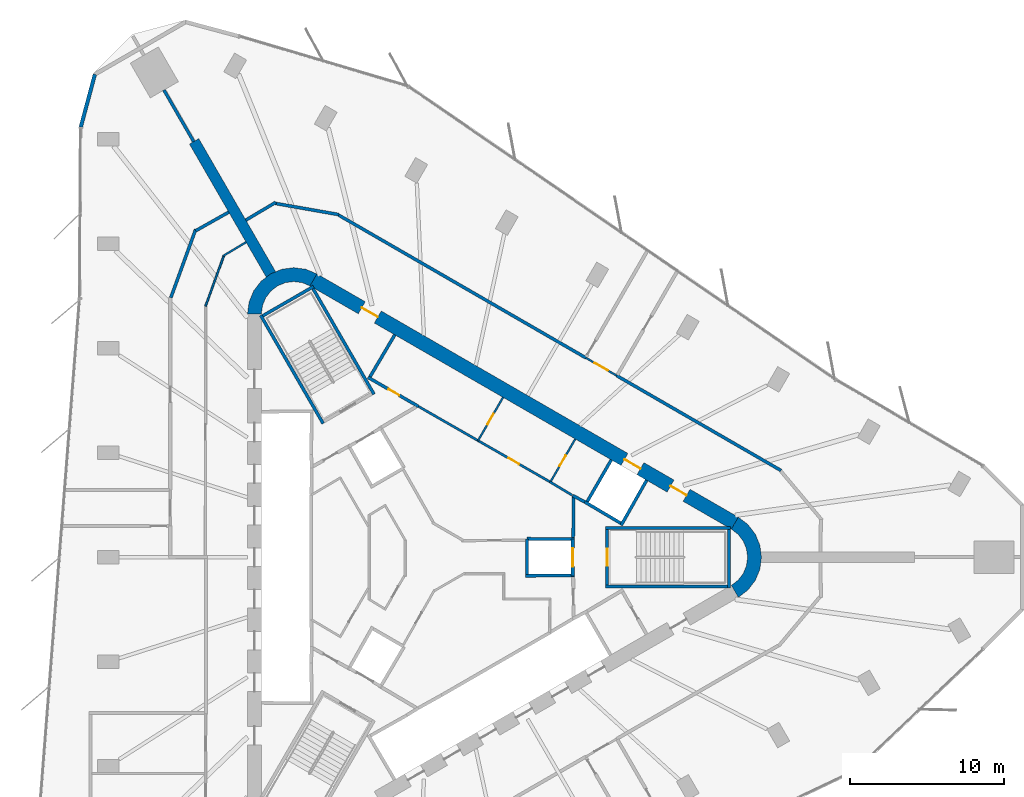
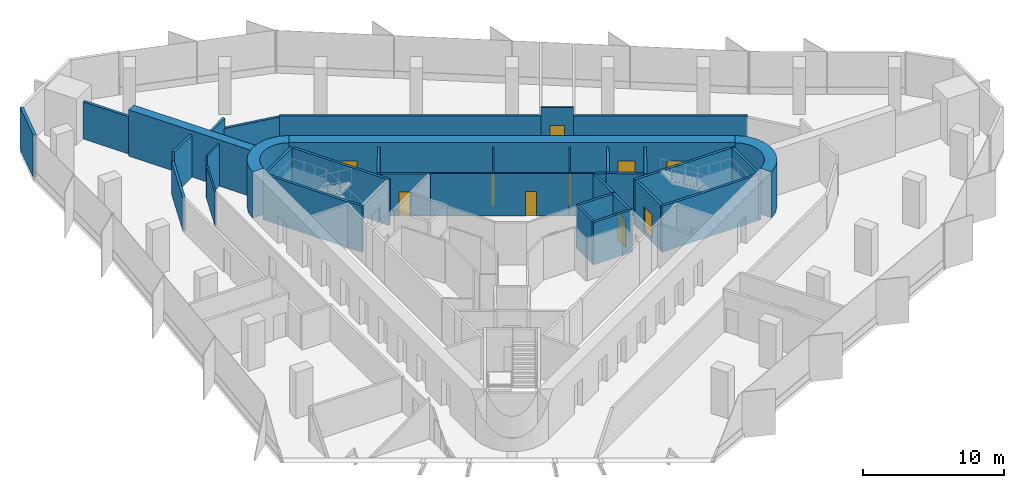
# One storey, part 11 of 13: 37 walls, 10 doors, 10 openings.
"""IFC4 building model written with IfcOpenShell, lengths in metres."""

from ifc_helpers import new_model, si_unit, direction, frame, frame_2d, origin, place, context, subcontext, project, spatial, polyline, rectangle, outline, extrude, material, layer, layer_set, type_object, element, fill, save


model = new_model("IFC4")

# Units and contexts
model_context = context("Model", 3, precision=1e-05, world=origin(), true_north=direction((0.0, 1.0)))
body_context = subcontext(model_context, "Body", "Model", "MODEL_VIEW")
ifc_project = project(units=[si_unit("LENGTHUNIT", "METRE"), si_unit("AREAUNIT", "SQUARE_METRE"), si_unit("VOLUMEUNIT", "CUBIC_METRE"), si_unit("PLANEANGLEUNIT", "RADIAN"), si_unit("MASSUNIT", "GRAM", prefix="KILO")], contexts=[model_context])

# Site, building, storey
site_placement = place(None, origin())
site = spatial("IfcSite", under=ifc_project, at=site_placement, CompositionType="ELEMENT")
building_placement = place(site_placement, origin())
building = spatial("IfcBuilding", under=site, at=building_placement, Name="Tanit Gate Tower", CompositionType="ELEMENT")
storey_placement = place(building_placement, frame((0.0, 0.0, 273.199951171875)))
storey = spatial("IfcBuildingStorey", under=building, at=storey_placement, Name="L62", CompositionType="ELEMENT", Elevation=273.199951171875)

# Wall
ifc_material_1 = material(Name="Concrete C50/60", Category="concrete")
ifc_layer_1 = layer(ifc_material_1, 0.699951171875)
ifc_layer_set_1 = layer_set([ifc_layer_1], Name="BUTTRESS FIN 700 C50/60")
wall_type_1 = type_object("IfcWallType", Name="BUTTRESS FIN 700 C50/60", PredefinedType="SHEAR", material=ifc_layer_set_1)
wall_1_placement = place(storey_placement, frame((-10.574951171875, 18.31640625, 0.0), z_axis=(0.0, 0.0, 1.0), x_axis=(-0.500007350791, 0.866021159762, 0.0)))
element("IfcWall", 1, at=wall_1_placement, inside=storey, type_object=wall_type_1, Name="BUTTRESS FIN", PredefinedType="SHEAR", context=body_context, shape_type="SweptSolid", body=[
    extrude(rectangle(XDim=9.964599609375, YDim=0.699951171875, at=frame_2d((4.982421875, 0.0))), origin(), (0.0, 0.0, 1.0), 4.0),
])

# Wall, openings, doors
ifc_material_2 = material(Name="Concrete C50/60", Category="concrete")
ifc_layer_2 = layer(ifc_material_2, 0.89990234375)
ifc_layer_set_2 = layer_set([ifc_layer_2], Name="CORE WALL 900 C50/60")
wall_type_2 = type_object("IfcWallType", Name="CORE WALL 900 C50/60", PredefinedType="SHEAR", material=ifc_layer_set_2)
wall_2_placement = place(storey_placement, frame((19.47509765625, 2.20849609375, 0.0), z_axis=(0.0, 0.0, 1.0), x_axis=(-0.866028369851, 0.499994862586, 0.0)))
wall_2 = element("IfcWall", 2, at=wall_2_placement, inside=storey, type_object=wall_type_2, Name="CORE WALL", PredefinedType="SHEAR", context=body_context, shape_type="SweptSolid", body=[
    extrude(rectangle(XDim=31.523193359375, YDim=0.89990234375, at=frame_2d((15.76171875, 0.0))), origin(), (0.0, 0.0, 1.0), 4.0),
])
opening_1_placement = place(wall_2_placement, frame((7.0615234375, 0.0, 0.0)))
opening_1 = element("IfcOpeningElement", 3, at=opening_1_placement, cuts=wall_2, Name="Opening LDML8-S17", PredefinedType="OPENING", context=body_context, shape_type="SweptSolid", body=[
    extrude(rectangle(XDim=1.199951171875, YDim=2.39990234375, at=frame_2d((0.60009765625, 1.199951171875))), frame((0.0, 0.4599609375, 0.0), z_axis=(0.0, -1.0, 0.0), x_axis=(1.0, 0.0, 0.0)), (0.0, 0.0, 1.0), 0.919921875),
])
opening_2_placement = place(wall_2_placement, frame((3.611572265625, 0.0, 0.0)))
opening_2 = element("IfcOpeningElement", 4, at=opening_2_placement, cuts=wall_2, Name="Opening F12-S17-FL1", PredefinedType="OPENING", context=body_context, shape_type="SweptSolid", body=[
    extrude(rectangle(XDim=1.199951171875, YDim=2.39990234375, at=frame_2d((0.60009765625, 1.199951171875))), frame((0.0, 0.4599609375, 0.0), z_axis=(0.0, -1.0, 0.0), x_axis=(1.0, 0.0, 0.0)), (0.0, 0.0, 1.0), 0.919921875),
])
opening_3_placement = place(wall_2_placement, frame((26.711669921875, 0.0, 0.0)))
opening_3 = element("IfcOpeningElement", 5, at=opening_3_placement, cuts=wall_2, Name="Opening F12-S17-S2", PredefinedType="OPENING", context=body_context, shape_type="SweptSolid", body=[
    extrude(rectangle(XDim=1.199951171875, YDim=2.39990234375, at=frame_2d((0.60009765625, 1.199951171875))), frame((0.0, 0.4599609375, 0.0), z_axis=(0.0, -1.0, 0.0), x_axis=(1.0, 0.0, 0.0)), (0.0, 0.0, 1.0), 0.919921875),
])
ifc_material_3 = material(Name="Fire-rated steel door leaf", Category="steel")
door_type_1 = type_object("IfcDoorType", Name="INT-DOOR-FIRE-LOBBY-1200", OperationType="NOTDEFINED", PredefinedType="USERDEFINED", material=ifc_material_3)
door_1_placement = place(opening_2_placement, origin())
door_1 = element("IfcDoor", 6, at=door_1_placement, inside=storey, type_object=door_type_1, Name="Door F12-S17-FL1", ObjectType="FIRE DOOR", OperationType="SINGLE_SWING_LEFT", OverallHeight=2.39990234375, OverallWidth=1.199951171875, PredefinedType="USERDEFINED", context=body_context, shape_type="SweptSolid", body=[
    extrude(rectangle(XDim=1.199951171875, YDim=2.39990234375, at=frame_2d((0.60009765625, 1.199951171875))), frame((0.0, 0.02490234375, 0.0), z_axis=(0.0, -1.0, 0.0), x_axis=(1.0, 0.0, 0.0)), (0.0, 0.0, 1.0), 0.050048828125),
])
fill(opening_2, door_1)
door_2_placement = place(opening_3_placement, origin())
door_2 = element("IfcDoor", 7, at=door_2_placement, inside=storey, type_object=door_type_1, Name="Door F12-S17-S2", ObjectType="FIRE DOOR", OperationType="SINGLE_SWING_RIGHT", OverallHeight=2.39990234375, OverallWidth=1.199951171875, PredefinedType="USERDEFINED", context=body_context, shape_type="SweptSolid", body=[
    extrude(rectangle(XDim=1.199951171875, YDim=2.39990234375, at=frame_2d((0.60009765625, 1.199951171875))), frame((0.0, 0.02490234375, 0.0), z_axis=(0.0, -1.0, 0.0), x_axis=(1.0, 0.0, 0.0)), (0.0, 0.0, 1.0), 0.050048828125),
])
fill(opening_3, door_2)
ifc_material_4 = material(Name="Stainless steel sliding door leaf", Category="steel")
door_type_2 = type_object("IfcDoorType", Name="INT-DOOR-LANDING-1200", OperationType="NOTDEFINED", PredefinedType="USERDEFINED", material=ifc_material_4)
door_3_placement = place(opening_1_placement, origin())
door_3 = element("IfcDoor", 8, at=door_3_placement, inside=storey, type_object=door_type_2, Name="Door LDML8-S17", ObjectType="LANDING DOOR", OperationType="SLIDING_TO_LEFT", OverallHeight=2.39990234375, OverallWidth=1.199951171875, PredefinedType="USERDEFINED", context=body_context, shape_type="SweptSolid", body=[
    extrude(rectangle(XDim=1.199951171875, YDim=2.39990234375, at=frame_2d((0.60009765625, 1.199951171875))), frame((0.0, 0.02490234375, 0.0), z_axis=(0.0, -1.0, 0.0), x_axis=(1.0, 0.0, 0.0)), (0.0, 0.0, 1.0), 0.050048828125),
])
fill(opening_1, door_3)

# Walls
wall_3_placement = place(storey_placement, origin())
element("IfcWall", 9, at=wall_3_placement, inside=storey, type_object=wall_type_2, Name="CORE WALL CORNER", PredefinedType="SHEAR", context=body_context, shape_type="SweptSolid", body=[
    extrude(outline(polyline([(-7.60009765625, 18.359619140625), (-8.323486328125, 18.659423828125), (-9.10009765625, 18.76171875), (-9.87646484375, 18.659423828125), (-10.60009765625, 18.359619140625), (-11.22119140625, 17.883056640625), (-11.697998046875, 17.26171875), (-11.997802734375, 16.5380859375), (-12.10009765625, 15.76171875), (-11.199951171875, 15.76171875), (-11.12841796875, 16.30517578125), (-10.918701171875, 16.811767578125), (-10.5849609375, 17.24658203125), (-10.14990234375, 17.580322265625), (-9.6435546875, 17.7900390625), (-9.10009765625, 17.86181640625), (-8.556396484375, 17.7900390625), (-8.050048828125, 17.580322265625), (-7.60009765625, 18.359619140625)])), origin(), (0.0, 0.0, 1.0), 4.0),
])
wall_4_placement = place(storey_placement, origin())
element("IfcWall", 10, at=wall_4_placement, inside=storey, type_object=wall_type_2, Name="CORE WALL CORNER", PredefinedType="SHEAR", context=body_context, shape_type="SweptSolid", body=[
    extrude(outline(polyline([(19.699951171875, -2.59814453125), (20.3212890625, -2.121337890625), (20.798095703125, -1.5), (21.097900390625, -0.776611328125), (21.199951171875, 0.0), (21.097900390625, 0.776611328125), (20.798095703125, 1.5), (20.3212890625, 2.121337890625), (19.699951171875, 2.59814453125), (19.25, 1.818603515625), (19.684814453125, 1.48486328125), (20.018798828125, 1.050048828125), (20.228515625, 0.54345703125), (20.300048828125, 0.0), (20.228515625, -0.54345703125), (20.018798828125, -1.050048828125), (19.684814453125, -1.48486328125), (19.25, -1.818603515625), (19.699951171875, -2.59814453125)])), origin(), (0.0, 0.0, 1.0), 4.0),
])
ifc_material_5 = material(Name="Concrete C30/37 with bronze anodised aluminium cladding", Category="concrete")
ifc_layer_3 = layer(ifc_material_5, 0.239990234375)
ifc_layer_set_3 = layer_set([ifc_layer_3], Name="Facade wall bronze clad 240")
wall_type_3 = type_object("IfcWallType", Name="Facade wall bronze clad 240", PredefinedType="SOLIDWALL", material=ifc_layer_set_3)
wall_5_placement = place(storey_placement, frame((-21.986328125, 31.283203125, 0.0), z_axis=(0.0, 0.0, 1.0), x_axis=(-0.258844219627, -0.965919080444, 0.0)))
element("IfcWall", 11, at=wall_5_placement, inside=storey, type_object=wall_type_3, Name="Bronze-clad facade wall L62 NW.arc3", PredefinedType="SOLIDWALL", context=body_context, shape_type="SweptSolid", body=[
    extrude(rectangle(XDim=3.5361328125, YDim=0.239990234375, at=frame_2d((1.76806640625, 0.0))), origin(), (0.0, 0.0, 1.0), 3.650146484375),
])
ifc_material_6 = material(Name="Fire-rated gypsum board partition")
ifc_layer_4 = layer(ifc_material_6, 0.199951171875)
ifc_layer_set_4 = layer_set([ifc_layer_4], Name="INT-WALL-COMPARTMENT")
wall_type_4 = type_object("IfcWallType", Name="INT-WALL-COMPARTMENT", PredefinedType="PARTITIONING", material=ifc_layer_set_4)
wall_6_placement = place(storey_placement, frame((8.97412109375, 3.998779296875, 0.0), z_axis=(0.0, 0.0, 1.0), x_axis=(0.880917147855, -0.473270513147, 0.0)))
element("IfcWall", 12, at=wall_6_placement, inside=storey, type_object=wall_type_4, Name="Wall Compartment W050", PredefinedType="PARTITIONING", context=body_context, shape_type="SweptSolid", body=[
    extrude(rectangle(XDim=0.8779296875, YDim=0.199951171875, at=frame_2d((0.43896484375, 0.0))), origin(), (0.0, 0.0, 1.0), 3.650146484375),
])

# Wall, opening, door
wall_7_placement = place(storey_placement, frame((-4.295654296875, 11.659912109375, 0.0), z_axis=(0.0, 0.0, 1.0), x_axis=(0.866027389382, -0.499996560828, 0.0)))
wall_7 = element("IfcWall", 13, at=wall_7_placement, inside=storey, type_object=wall_type_4, Name="Wall Compartment W054", PredefinedType="PARTITIONING", context=body_context, shape_type="SweptSolid", body=[
    extrude(rectangle(XDim=3.77783203125, YDim=0.199951171875, at=frame_2d((1.888916015625, 0.0))), origin(), (0.0, 0.0, 1.0), 3.650146484375),
])
opening_4_placement = place(wall_7_placement, frame((1.538818359375, 0.0, 0.0)))
opening_4 = element("IfcOpeningElement", 14, at=opening_4_placement, cuts=wall_7, Name="Opening R08-S17-16", PredefinedType="OPENING", context=body_context, shape_type="SweptSolid", body=[
    extrude(rectangle(XDim=0.800048828125, YDim=2.10009765625, at=frame_2d((0.39990234375, 1.050048828125))), frame((0.0, 0.10986328125, 0.0), z_axis=(0.0, -1.0, 0.0), x_axis=(1.0, 0.0, 0.0)), (0.0, 0.0, 1.0), 0.219970703125),
])
ifc_material_7 = material(Name="Timber door leaf", Category="wood")
door_type_3 = type_object("IfcDoorType", Name="INT-DOOR-RISER-800", OperationType="NOTDEFINED", PredefinedType="USERDEFINED", material=ifc_material_7)
door_4_placement = place(opening_4_placement, origin())
door_4 = element("IfcDoor", 15, at=door_4_placement, inside=storey, type_object=door_type_3, Name="Door R08-S17-16", ObjectType="FIRE DOOR", OperationType="SINGLE_SWING_LEFT", OverallHeight=2.10009765625, OverallWidth=0.800048828125, PredefinedType="USERDEFINED", context=body_context, shape_type="SweptSolid", body=[
    extrude(rectangle(XDim=0.800048828125, YDim=2.10009765625, at=frame_2d((0.39990234375, 1.050048828125))), frame((0.0, 0.02490234375, 0.0), z_axis=(0.0, -1.0, 0.0), x_axis=(1.0, 0.0, 0.0)), (0.0, 0.0, 1.0), 0.050048828125),
])
fill(opening_4, door_4)

# Walls
wall_8_placement = place(storey_placement, frame((-2.557861328125, 14.409423828125, 0.0), z_axis=(0.0, 0.0, 1.0), x_axis=(-0.508018930956, -0.861345903683, 0.0)))
element("IfcWall", 16, at=wall_8_placement, inside=storey, type_object=wall_type_4, Name="Wall Compartment W055", PredefinedType="PARTITIONING", context=body_context, shape_type="SweptSolid", body=[
    extrude(rectangle(XDim=3.150146484375, YDim=0.199951171875, at=frame_2d((1.5751953125, 0.0))), origin(), (0.0, 0.0, 1.0), 3.650146484375),
])
wall_9_placement = place(storey_placement, frame((9.0009765625, 1.27001953125, 0.0), z_axis=(0.0, 0.0, 1.0), x_axis=(0.010751103362, 0.999942205218, 0.0)))
element("IfcWall", 17, at=wall_9_placement, inside=storey, type_object=wall_type_4, Name="Wall Compartment W059", PredefinedType="PARTITIONING", context=body_context, shape_type="SweptSolid", body=[
    extrude(rectangle(XDim=2.72509765625, YDim=0.199951171875, at=frame_2d((1.362548828125, 0.0))), origin(), (0.0, 0.0, 1.0), 3.650146484375),
])
wall_10_placement = place(storey_placement, frame((-15.456298828125, 21.238525390625, 0.0), z_axis=(0.0, 0.0, 1.0), x_axis=(-0.34205546997, -0.939679762187, 0.0)))
element("IfcWall", 18, at=wall_10_placement, inside=storey, type_object=wall_type_4, Name="Wall Compartment W091", PredefinedType="PARTITIONING", context=body_context, shape_type="SweptSolid", body=[
    extrude(rectangle(XDim=4.705810546875, YDim=0.199951171875, at=frame_2d((2.35302734375, 0.0))), origin(), (0.0, 0.0, 1.0), 2.830078125),
])
wall_11_placement = place(storey_placement, frame((-13.31298828125, 22.35888671875, 0.0), z_axis=(0.0, 0.0, 1.0), x_axis=(-0.87121710687, -0.490897904555, 0.0)))
element("IfcWall", 19, at=wall_11_placement, inside=storey, type_object=wall_type_4, Name="Wall Compartment W092", PredefinedType="PARTITIONING", context=body_context, shape_type="SweptSolid", body=[
    extrude(rectangle(XDim=2.457275390625, YDim=0.199951171875, at=frame_2d((1.228515625, 0.0))), origin(), (0.0, 0.0, 1.0), 3.650146484375),
])
wall_12_placement = place(storey_placement, frame((22.466064453125, 5.619873046875, 0.0), z_axis=(0.0, 0.0, 1.0), x_axis=(-0.866024234898, 0.500002024564, 0.0)))
element("IfcWall", 20, at=wall_12_placement, inside=storey, type_object=wall_type_4, Name="Wall Compartment W099", PredefinedType="PARTITIONING", context=body_context, shape_type="SweptSolid", body=[
    extrude(rectangle(XDim=12.29638671875, YDim=0.199951171875, at=frame_2d((6.148193359375, 0.0))), origin(), (0.0, 0.0, 1.0), 2.929931640625),
])
wall_13_placement = place(storey_placement, frame((9.825439453125, 12.91796875, 0.0), z_axis=(0.0, 0.0, 1.0), x_axis=(-0.866022708987, 0.500004667497, 0.0)))
element("IfcWall", 21, at=wall_13_placement, inside=storey, type_object=wall_type_4, Name="Wall Compartment W104", PredefinedType="PARTITIONING", context=body_context, shape_type="SweptSolid", body=[
    extrude(rectangle(XDim=18.496337890625, YDim=0.199951171875, at=frame_2d((9.248046875, 0.0))), origin(), (0.0, 0.0, 1.0), 2.929931640625),
])
wall_14_placement = place(storey_placement, frame((-10.26513671875, 22.995849609375, 0.0), z_axis=(0.0, 0.0, 1.0), x_axis=(-0.859934823121, -0.510403859687, 0.0)))
element("IfcWall", 22, at=wall_14_placement, inside=storey, type_object=wall_type_4, Name="Wall Compartment W102", PredefinedType="PARTITIONING", context=body_context, shape_type="SweptSolid", body=[
    extrude(rectangle(XDim=2.25830078125, YDim=0.199951171875, at=frame_2d((1.129150390625, 0.0))), origin(), (0.0, 0.0, 1.0), 3.650146484375),
])
wall_15_placement = place(storey_placement, frame((-6.18115234375, 22.19873046875, 0.0), z_axis=(0.0, 0.0, 1.0), x_axis=(-0.984807544765, 0.17364935869, 0.0)))
element("IfcWall", 23, at=wall_15_placement, inside=storey, type_object=wall_type_4, Name="Wall Compartment W103", PredefinedType="PARTITIONING", context=body_context, shape_type="SweptSolid", body=[
    extrude(rectangle(XDim=4.199462890625, YDim=0.199951171875, at=frame_2d((2.099609375, 0.0))), origin(), (0.0, 0.0, 1.0), 2.830078125),
])
wall_16_placement = place(storey_placement, frame((-17.510986328125, 30.27001953125, 0.0), z_axis=(0.0, 0.0, 1.0), x_axis=(0.499980071345, -0.866036909293, 0.0)))
element("IfcWall", 24, at=wall_16_placement, inside=storey, type_object=wall_type_4, Name="Wall Compartment W123", PredefinedType="PARTITIONING", context=body_context, shape_type="SweptSolid", body=[
    extrude(rectangle(XDim=3.855712890625, YDim=0.199951171875, at=frame_2d((1.927734375, 0.0))), origin(), (0.0, 0.0, 1.0), 3.219970703125),
])

# Wall, opening, door
ifc_material_8 = material(Name="Gypsum board partition")
ifc_layer_5 = layer(ifc_material_8, 0.1201171875)
ifc_layer_set_5 = layer_set([ifc_layer_5], Name="INT-WALL-PARTITION")
wall_type_5 = type_object("IfcWallType", Name="INT-WALL-PARTITION", PredefinedType="PARTITIONING", material=ifc_layer_set_5)
wall_17_placement = place(storey_placement, frame((7.50830078125, 4.844970703125, 0.0), z_axis=(0.0, 0.0, 1.0), x_axis=(0.500017246033, 0.866015446554, 0.0)))
wall_17 = element("IfcWall", 25, at=wall_17_placement, inside=storey, type_object=wall_type_5, Name="Wall Partition W049", PredefinedType="PARTITIONING", context=body_context, shape_type="SweptSolid", body=[
    extrude(rectangle(XDim=3.25, YDim=0.1201171875, at=frame_2d((1.625, 0.0))), origin(), (0.0, 0.0, 1.0), 3.650146484375),
])
opening_5_placement = place(wall_17_placement, frame((1.22509765625, 0.0, 0.0)))
opening_5 = element("IfcOpeningElement", 26, at=opening_5_placement, cuts=wall_17, Name="Opening R08-S17-14", PredefinedType="OPENING", context=body_context, shape_type="SweptSolid", body=[
    extrude(rectangle(XDim=0.800048828125, YDim=2.10009765625, at=frame_2d((0.39990234375, 1.050048828125))), frame((0.0, 0.070068359375, 0.0), z_axis=(0.0, -1.0, 0.0), x_axis=(1.0, 0.0, 0.0)), (0.0, 0.0, 1.0), 0.14013671875),
])
door_5_placement = place(opening_5_placement, origin())
door_5 = element("IfcDoor", 27, at=door_5_placement, inside=storey, type_object=door_type_3, Name="Door R08-S17-14", ObjectType="FIRE DOOR", OperationType="SINGLE_SWING_RIGHT", OverallHeight=2.10009765625, OverallWidth=0.800048828125, PredefinedType="USERDEFINED", context=body_context, shape_type="SweptSolid", body=[
    extrude(rectangle(XDim=0.800048828125, YDim=2.10009765625, at=frame_2d((0.39990234375, 1.050048828125))), frame((0.0, 0.02490234375, 0.0), z_axis=(0.0, -1.0, 0.0), x_axis=(1.0, 0.0, 0.0)), (0.0, 0.0, 1.0), 0.050048828125),
])
fill(opening_5, door_5)

wall_18_placement = place(storey_placement, frame((2.831787109375, 7.544921875, 0.0), z_axis=(0.0, 0.0, 1.0), x_axis=(0.500017246033, 0.866015446554, 0.0)))
wall_18 = element("IfcWall", 28, at=wall_18_placement, inside=storey, type_object=wall_type_5, Name="Wall Partition W052", PredefinedType="PARTITIONING", context=body_context, shape_type="SweptSolid", body=[
    extrude(rectangle(XDim=3.25, YDim=0.1201171875, at=frame_2d((1.625, 0.0))), origin(), (0.0, 0.0, 1.0), 3.650146484375),
])
opening_6_placement = place(wall_18_placement, frame((1.22509765625, 0.0, 0.0)))
opening_6 = element("IfcOpeningElement", 29, at=opening_6_placement, cuts=wall_18, Name="Opening R08-S17-15", PredefinedType="OPENING", context=body_context, shape_type="SweptSolid", body=[
    extrude(rectangle(XDim=0.800048828125, YDim=2.10009765625, at=frame_2d((0.39990234375, 1.050048828125))), frame((0.0, 0.070068359375, 0.0), z_axis=(0.0, -1.0, 0.0), x_axis=(1.0, 0.0, 0.0)), (0.0, 0.0, 1.0), 0.14013671875),
])
door_6_placement = place(opening_6_placement, origin())
door_6 = element("IfcDoor", 30, at=door_6_placement, inside=storey, type_object=door_type_3, Name="Door R08-S17-15", ObjectType="FIRE DOOR", OperationType="SINGLE_SWING_RIGHT", OverallHeight=2.10009765625, OverallWidth=0.800048828125, PredefinedType="USERDEFINED", context=body_context, shape_type="SweptSolid", body=[
    extrude(rectangle(XDim=0.800048828125, YDim=2.10009765625, at=frame_2d((0.39990234375, 1.050048828125))), frame((0.0, 0.02490234375, 0.0), z_axis=(0.0, -1.0, 0.0), x_axis=(1.0, 0.0, 0.0)), (0.0, 0.0, 1.0), 0.050048828125),
])
fill(opening_6, door_6)

# Walls
wall_19_placement = place(storey_placement, frame((-12.188720703125, 20.411376953125, 0.0), z_axis=(0.0, 0.0, 1.0), x_axis=(-0.858492721014, -0.51282574815, 0.0)))
element("IfcWall", 31, at=wall_19_placement, inside=storey, type_object=wall_type_5, Name="Wall Partition W084", PredefinedType="PARTITIONING", context=body_context, shape_type="SweptSolid", body=[
    extrude(rectangle(XDim=1.742431640625, YDim=0.1201171875, at=frame_2d((0.87109375, 0.0))), origin(), (0.0, 0.0, 1.0), 3.650146484375),
])
wall_20_placement = place(storey_placement, frame((-13.630615234375, 19.529541015625, 0.0), z_axis=(0.0, 0.0, 1.0), x_axis=(-0.342069878069, -0.939674517329, 0.0)))
element("IfcWall", 32, at=wall_20_placement, inside=storey, type_object=wall_type_5, Name="Wall Partition W085", PredefinedType="PARTITIONING", context=body_context, shape_type="SweptSolid", body=[
    extrude(rectangle(XDim=3.478759765625, YDim=0.1201171875, at=frame_2d((1.7392578125, 0.0))), origin(), (0.0, 0.0, 1.0), 2.830078125),
])

# Wall, opening, door
wall_21_placement = place(storey_placement, frame((11.817138671875, 11.76806640625, 0.0), z_axis=(0.0, 0.0, 1.0), x_axis=(-0.86602648383, 0.499998129301, 0.0)))
wall_21 = element("IfcWall", 33, at=wall_21_placement, inside=storey, type_object=wall_type_5, Name="Wall Partition W098", PredefinedType="PARTITIONING", context=body_context, shape_type="SweptSolid", body=[
    extrude(rectangle(XDim=2.2998046875, YDim=0.1201171875, at=frame_2d((1.14990234375, 0.0))), origin(), (0.0, 0.0, 1.0), 3.650146484375),
])
opening_7_placement = place(wall_21_placement, frame((0.64990234375, 0.0, 0.0)))
opening_7 = element("IfcOpeningElement", 34, at=opening_7_placement, cuts=wall_21, Name="Opening D10-S17-21", PredefinedType="OPENING", context=body_context, shape_type="SweptSolid", body=[
    extrude(rectangle(XDim=1.0, YDim=2.10009765625, at=frame_2d((0.5, 1.050048828125))), frame((0.0, 0.070068359375, 0.0), z_axis=(0.0, -1.0, 0.0), x_axis=(1.0, 0.0, 0.0)), (0.0, 0.0, 1.0), 0.14013671875),
])
ifc_material_9 = material(Name="Timber door leaf", Category="wood")
door_type_4 = type_object("IfcDoorType", Name="INT-DOOR-SINGLE-1000", OperationType="NOTDEFINED", PredefinedType="NOTDEFINED", material=ifc_material_9)
door_7_placement = place(opening_7_placement, origin())
door_7 = element("IfcDoor", 35, at=door_7_placement, inside=storey, type_object=door_type_4, Name="Door D10-S17-21", OperationType="SINGLE_SWING_LEFT", OverallHeight=2.10009765625, OverallWidth=1.0, PredefinedType="NOTDEFINED", context=body_context, shape_type="SweptSolid", body=[
    extrude(rectangle(XDim=1.0, YDim=2.10009765625, at=frame_2d((0.5, 1.050048828125))), frame((0.0, 0.02490234375, 0.0), z_axis=(0.0, -1.0, 0.0), x_axis=(1.0, 0.0, 0.0)), (0.0, 0.0, 1.0), 0.050048828125),
])
fill(opening_7, door_7)

# Wall
ifc_material_10 = material(Name="Fire-rated gypsum board partition")
ifc_layer_6 = layer(ifc_material_10, 0.14990234375)
ifc_layer_set_6 = layer_set([ifc_layer_6], Name="INT-WALL-RISER")
wall_type_6 = type_object("IfcWallType", Name="INT-WALL-RISER", PredefinedType="PLUMBINGWALL", material=ifc_layer_set_6)
wall_22_placement = place(storey_placement, frame((8.9306640625, 4.026123046875, 0.0), z_axis=(0.0, 0.0, 1.0), x_axis=(-0.857531586833, 0.514431314738, 0.0)))
element("IfcWall", 36, at=wall_22_placement, inside=storey, type_object=wall_type_6, Name="Wall Riser W051", PredefinedType="PLUMBINGWALL", context=body_context, shape_type="SweptSolid", body=[
    extrude(rectangle(XDim=1.67138671875, YDim=0.14990234375, at=frame_2d((0.835693359375, 0.0))), origin(), (0.0, 0.0, 1.0), 3.650146484375),
])

# Wall, opening, door
wall_23_placement = place(storey_placement, frame((7.497314453125, 4.885986328125, 0.0), z_axis=(0.0, 0.0, 1.0), x_axis=(-0.867541725638, 0.497364407931, 0.0)))
wall_23 = element("IfcWall", 37, at=wall_23_placement, inside=storey, type_object=wall_type_6, Name="Wall Riser W053", PredefinedType="PLUMBINGWALL", context=body_context, shape_type="SweptSolid", body=[
    extrude(rectangle(XDim=9.822265625, YDim=0.14990234375, at=frame_2d((4.9111328125, 0.0))), origin(), (0.0, 0.0, 1.0), 3.650146484375),
])
opening_8_placement = place(wall_23_placement, frame((2.300048828125, 0.0, 0.0)))
opening_8 = element("IfcOpeningElement", 38, at=opening_8_placement, cuts=wall_23, Name="Opening R08-S17-18", PredefinedType="OPENING", context=body_context, shape_type="SweptSolid", body=[
    extrude(rectangle(XDim=0.800048828125, YDim=2.10009765625, at=frame_2d((0.39990234375, 1.050048828125))), frame((0.0, 0.0849609375, 0.0), z_axis=(0.0, -1.0, 0.0), x_axis=(1.0, 0.0, 0.0)), (0.0, 0.0, 1.0), 0.169921875),
])
door_8_placement = place(opening_8_placement, origin())
door_8 = element("IfcDoor", 39, at=door_8_placement, inside=storey, type_object=door_type_3, Name="Door R08-S17-18", ObjectType="FIRE DOOR", OperationType="SINGLE_SWING_RIGHT", OverallHeight=2.10009765625, OverallWidth=0.800048828125, PredefinedType="USERDEFINED", context=body_context, shape_type="SweptSolid", body=[
    extrude(rectangle(XDim=0.800048828125, YDim=2.10009765625, at=frame_2d((0.39990234375, 1.050048828125))), frame((0.0, 0.02490234375, 0.0), z_axis=(0.0, -1.0, 0.0), x_axis=(1.0, 0.0, 0.0)), (0.0, 0.0, 1.0), 0.050048828125),
])
fill(opening_8, door_8)

# Walls
ifc_material_11 = material(Name="Gypsum shaft wall system")
ifc_layer_7 = layer(ifc_material_11, 0.199951171875)
ifc_layer_set_7 = layer_set([ifc_layer_7], Name="INT-WALL-SHAFT")
wall_type_7 = type_object("IfcWallType", Name="INT-WALL-SHAFT", PredefinedType="PLUMBINGWALL", material=ifc_layer_set_7)
wall_24_placement = place(storey_placement, frame((9.8466796875, 3.494873046875, 0.0), z_axis=(0.0, 0.0, 1.0), x_axis=(0.499984717929, 0.866034226713, 0.0)))
element("IfcWall", 40, at=wall_24_placement, inside=storey, type_object=wall_type_7, Name="Wall Shaft W012", PredefinedType="PLUMBINGWALL", context=body_context, shape_type="SweptSolid", body=[
    extrude(rectangle(XDim=3.25, YDim=0.199951171875, at=frame_2d((1.625, 0.0))), origin(), (0.0, 0.0, 1.0), 3.650146484375),
])
wall_25_placement = place(storey_placement, frame((12.10986328125, 2.07275390625, 0.0), z_axis=(0.0, 0.0, 1.0), x_axis=(0.49196600604, 0.870614408852, 0.0)))
element("IfcWall", 41, at=wall_25_placement, inside=storey, type_object=wall_type_7, Name="Wall Shaft W013", PredefinedType="PLUMBINGWALL", context=body_context, shape_type="SweptSolid", body=[
    extrude(rectangle(XDim=3.35009765625, YDim=0.199951171875, at=frame_2d((1.675048828125, 0.0))), origin(), (0.0, 0.0, 1.0), 3.650146484375),
])
wall_26_placement = place(storey_placement, frame((12.072998046875, 2.2109375, 0.0), z_axis=(0.0, 0.0, 1.0), x_axis=(-0.860414880418, 0.509594185166, 0.0)))
element("IfcWall", 42, at=wall_26_placement, inside=storey, type_object=wall_type_7, Name="Wall Shaft W014", PredefinedType="PLUMBINGWALL", context=body_context, shape_type="SweptSolid", body=[
    extrude(rectangle(XDim=2.7001953125, YDim=0.199951171875, at=frame_2d((1.35009765625, 0.0))), origin(), (0.0, 0.0, 1.0), 3.650146484375),
])

# Wall, opening, door
wall_27_placement = place(storey_placement, frame((8.969970703125, 1.199951171875, 0.0), z_axis=(0.0, 0.0, 1.0), x_axis=(0.0, -1.0, 0.0)))
wall_27 = element("IfcWall", 43, at=wall_27_placement, inside=storey, type_object=wall_type_7, Name="Wall Shaft W029", PredefinedType="PLUMBINGWALL", context=body_context, shape_type="SweptSolid", body=[
    extrude(rectangle(XDim=2.39990234375, YDim=0.199951171875, at=frame_2d((1.199951171875, 0.0))), origin(), (0.0, 0.0, 1.0), 3.650146484375),
])
opening_9_placement = place(wall_27_placement, frame((0.60009765625, 0.0, 0.0)))
opening_9 = element("IfcOpeningElement", 44, at=opening_9_placement, cuts=wall_27, Name="Opening LDFL1-L62", PredefinedType="OPENING", context=body_context, shape_type="SweptSolid", body=[
    extrude(rectangle(XDim=1.199951171875, YDim=2.39990234375, at=frame_2d((0.60009765625, 1.199951171875))), frame((0.0, 0.10986328125, 0.0), z_axis=(0.0, -1.0, 0.0), x_axis=(1.0, 0.0, 0.0)), (0.0, 0.0, 1.0), 0.219970703125),
])
door_9_placement = place(opening_9_placement, origin())
door_9 = element("IfcDoor", 45, at=door_9_placement, inside=storey, type_object=door_type_2, Name="Door LDFL1-L62", ObjectType="LANDING DOOR", OperationType="SLIDING_TO_LEFT", OverallHeight=2.39990234375, OverallWidth=1.199951171875, PredefinedType="USERDEFINED", context=body_context, shape_type="SweptSolid", body=[
    extrude(rectangle(XDim=1.199951171875, YDim=2.39990234375, at=frame_2d((0.60009765625, 1.199951171875))), frame((0.0, 0.02490234375, 0.0), z_axis=(0.0, -1.0, 0.0), x_axis=(1.0, 0.0, 0.0)), (0.0, 0.0, 1.0), 0.050048828125),
])
fill(opening_9, door_9)

# Walls
wall_28_placement = place(storey_placement, frame((6.0, 1.199951171875, 0.0), z_axis=(0.0, 0.0, 1.0), x_axis=(0.999949988, -0.010001074852, 0.0)))
element("IfcWall", 46, at=wall_28_placement, inside=storey, type_object=wall_type_7, Name="Wall Shaft W030", PredefinedType="PLUMBINGWALL", context=body_context, shape_type="SweptSolid", body=[
    extrude(rectangle(XDim=3.100341796875, YDim=0.199951171875, at=frame_2d((1.55029296875, 0.0))), origin(), (0.0, 0.0, 1.0), 3.650146484375),
])
wall_29_placement = place(storey_placement, frame((5.89990234375, -1.200927734375, 0.0), z_axis=(0.0, 0.0, 1.0), x_axis=(0.999950064753, 0.009993397809, 0.0)))
element("IfcWall", 47, at=wall_29_placement, inside=storey, type_object=wall_type_7, Name="Wall Shaft W031", PredefinedType="PLUMBINGWALL", context=body_context, shape_type="SweptSolid", body=[
    extrude(rectangle(XDim=3.200439453125, YDim=0.199951171875, at=frame_2d((1.60009765625, 0.0))), origin(), (0.0, 0.0, 1.0), 3.650146484375),
])
wall_30_placement = place(storey_placement, frame((6.0, -1.10009765625, 0.0), z_axis=(0.0, 0.0, 1.0), x_axis=(0.0, 1.0, 0.0)))
element("IfcWall", 48, at=wall_30_placement, inside=storey, type_object=wall_type_7, Name="Wall Shaft W032", PredefinedType="PLUMBINGWALL", context=body_context, shape_type="SweptSolid", body=[
    extrude(rectangle(XDim=2.279541015625, YDim=0.199951171875, at=frame_2d((1.1396484375, 0.0))), origin(), (0.0, 0.0, 1.0), 3.650146484375),
])
ifc_material_12 = material(Name="Concrete C40/50", Category="concrete")
ifc_layer_8 = layer(ifc_material_12, 0.199951171875)
ifc_layer_set_8 = layer_set([ifc_layer_8], Name="INT-WALL-STAIR")
wall_type_8 = type_object("IfcWallType", Name="INT-WALL-STAIR", PredefinedType="SHEAR", material=ifc_layer_set_8)
wall_31_placement = place(storey_placement, frame((19.199951171875, 1.89990234375, -0.300048828125), z_axis=(0.0, 0.0, 1.0), x_axis=(-1.0, 0.0, 0.0)))
element("IfcWall", 49, at=wall_31_placement, inside=storey, type_object=wall_type_8, Name="Wall Stair W025", PredefinedType="SHEAR", context=body_context, shape_type="SweptSolid", body=[
    extrude(rectangle(XDim=8.099853515625, YDim=0.199951171875, at=frame_2d((4.0498046875, 0.0))), origin(), (0.0, 0.0, 1.0), 3.9501953125),
])
wall_32_placement = place(storey_placement, frame((19.10009765625, -2.0, -0.300048828125), z_axis=(0.0, 0.0, 1.0), x_axis=(0.0, 1.0, 0.0)))
element("IfcWall", 50, at=wall_32_placement, inside=storey, type_object=wall_type_8, Name="Wall Stair W026", PredefinedType="SHEAR", context=body_context, shape_type="SweptSolid", body=[
    extrude(rectangle(XDim=3.800048828125, YDim=0.199951171875, at=frame_2d((1.89990234375, 0.0))), origin(), (0.0, 0.0, 1.0), 3.9501953125),
])
wall_33_placement = place(storey_placement, frame((11.10009765625, -1.89990234375, -0.300048828125), z_axis=(0.0, 0.0, 1.0), x_axis=(1.0, 0.0, 0.0)))
element("IfcWall", 51, at=wall_33_placement, inside=storey, type_object=wall_type_8, Name="Wall Stair W027", PredefinedType="SHEAR", context=body_context, shape_type="SweptSolid", body=[
    extrude(rectangle(XDim=7.89990234375, YDim=0.199951171875, at=frame_2d((3.949951171875, 0.0))), origin(), (0.0, 0.0, 1.0), 3.9501953125),
])

# Wall, opening, door
wall_34_placement = place(storey_placement, frame((11.199951171875, -1.800048828125, -0.300048828125), z_axis=(0.0, 0.0, 1.0), x_axis=(0.0, 1.0, 0.0)))
wall_34 = element("IfcWall", 52, at=wall_34_placement, inside=storey, type_object=wall_type_8, Name="Wall Stair W028", PredefinedType="SHEAR", context=body_context, shape_type="SweptSolid", body=[
    extrude(rectangle(XDim=3.60009765625, YDim=0.199951171875, at=frame_2d((1.800048828125, 0.0))), origin(), (0.0, 0.0, 1.0), 3.9501953125),
])
opening_10_placement = place(wall_34_placement, frame((1.25, 0.0, 0.300048828125)))
opening_10 = element("IfcOpeningElement", 53, at=opening_10_placement, cuts=wall_34, Name="Opening S11-S17-01", PredefinedType="OPENING", context=body_context, shape_type="SweptSolid", body=[
    extrude(rectangle(XDim=1.10009765625, YDim=2.10009765625, at=frame_2d((0.550048828125, 1.050048828125))), frame((0.0, 0.10986328125, 0.0), z_axis=(0.0, -1.0, 0.0), x_axis=(1.0, 0.0, 0.0)), (0.0, 0.0, 1.0), 0.219970703125),
])
ifc_material_13 = material(Name="Timber door leaf", Category="wood")
door_type_5 = type_object("IfcDoorType", Name="INT-DOOR-STAIR-1100", OperationType="NOTDEFINED", PredefinedType="USERDEFINED", material=ifc_material_13)
door_10_placement = place(opening_10_placement, origin())
door_10 = element("IfcDoor", 54, at=door_10_placement, inside=storey, type_object=door_type_5, Name="Door S11-S17-01", ObjectType="FIRE DOOR", OperationType="SINGLE_SWING_RIGHT", OverallHeight=2.10009765625, OverallWidth=1.10009765625, PredefinedType="USERDEFINED", context=body_context, shape_type="SweptSolid", body=[
    extrude(rectangle(XDim=1.10009765625, YDim=2.10009765625, at=frame_2d((0.550048828125, 1.050048828125))), frame((0.0, 0.02490234375, 0.0), z_axis=(0.0, -1.0, 0.0), x_axis=(1.0, 0.0, 0.0)), (0.0, 0.0, 1.0), 0.050048828125),
])
fill(opening_10, door_10)

# Walls
wall_35_placement = place(storey_placement, frame((-11.245361328125, 15.677734375, -0.300048828125), z_axis=(0.0, 0.0, 1.0), x_axis=(0.499977274689, -0.866038523851, 0.0)))
element("IfcWall", 55, at=wall_35_placement, inside=storey, type_object=wall_type_8, Name="Wall Stair W033", PredefinedType="SHEAR", context=body_context, shape_type="SweptSolid", body=[
    extrude(rectangle(XDim=8.10009765625, YDim=0.199951171875, at=frame_2d((4.050048828125, 0.0))), origin(), (0.0, 0.0, 1.0), 3.9501953125),
])
wall_36_placement = place(storey_placement, frame((-7.81787109375, 17.541015625, -0.300048828125), z_axis=(0.0, 0.0, 1.0), x_axis=(-0.866044365799, -0.499967155389, 0.0)))
element("IfcWall", 56, at=wall_36_placement, inside=storey, type_object=wall_type_8, Name="Wall Stair W034", PredefinedType="SHEAR", context=body_context, shape_type="SweptSolid", body=[
    extrude(rectangle(XDim=3.800048828125, YDim=0.199951171875, at=frame_2d((1.89990234375, 0.0))), origin(), (0.0, 0.0, 1.0), 3.9501953125),
])
wall_37_placement = place(storey_placement, frame((-7.8544921875, 17.404541015625, -0.300048828125), z_axis=(0.0, 0.0, 1.0), x_axis=(0.499997992926, -0.866026562566, 0.0)))
element("IfcWall", 57, at=wall_37_placement, inside=storey, type_object=wall_type_8, Name="Wall Stair W035", PredefinedType="SHEAR", context=body_context, shape_type="SweptSolid", body=[
    extrude(rectangle(XDim=7.89990234375, YDim=0.199951171875, at=frame_2d((3.949951171875, 0.0))), origin(), (0.0, 0.0, 1.0), 3.9501953125),
])

save(model, "model.ifc")
